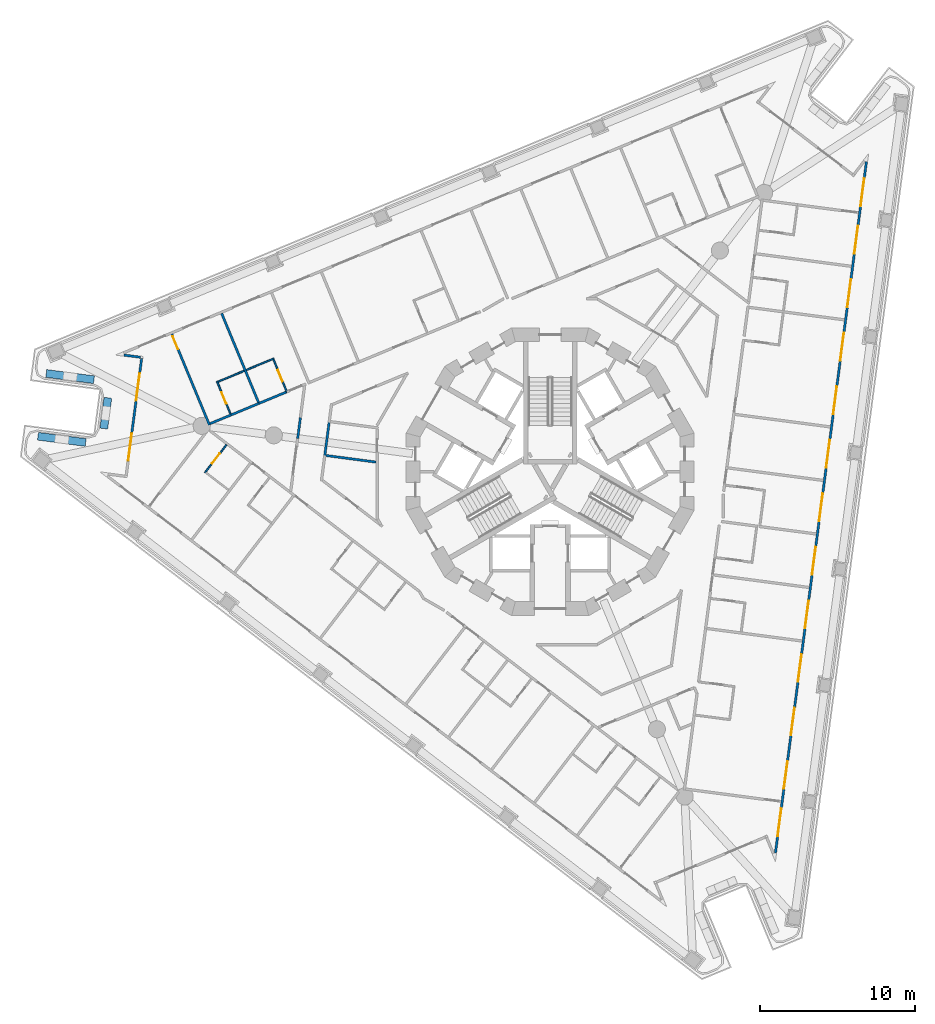
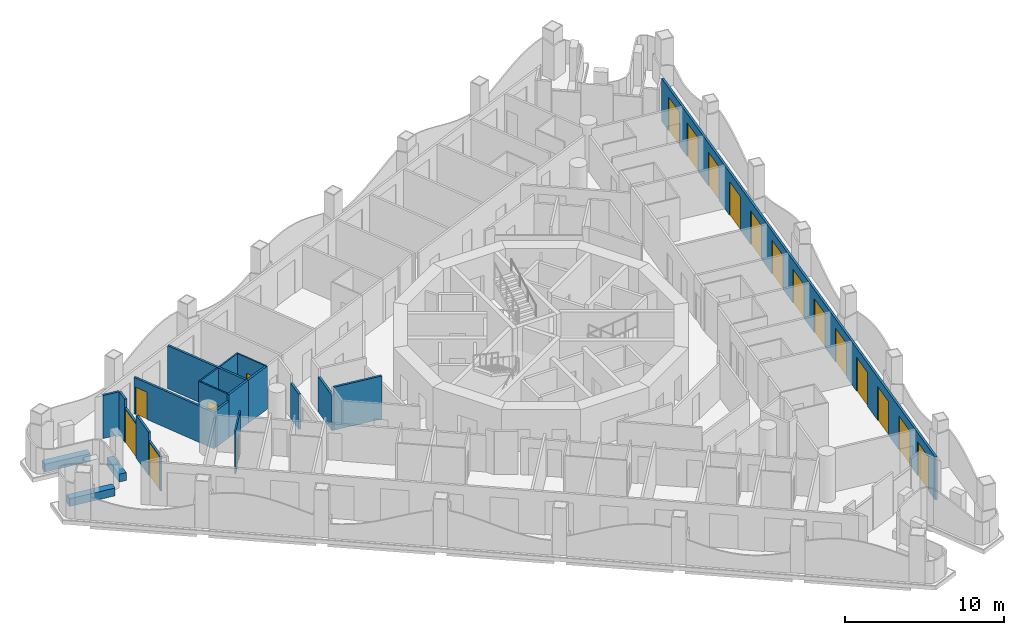
# One storey, part 6 of 17: 22 walls, 19 doors, 19 openings.
"""IFC4 building model written with IfcOpenShell, lengths in metres."""

from ifc_helpers import new_model, si_unit, direction, frame, frame_2d, origin, place, context, subcontext, project, spatial, polyline, rectangle, outline, extrude, material, layer, layer_set, type_object, element, fill, save


model = new_model("IFC4")

# Units and contexts
model_context = context("Model", 3, precision=1e-05, world=origin(), true_north=direction((0.0, 1.0)))
body_context = subcontext(model_context, "Body", "Model", "MODEL_VIEW")
ifc_project = project(units=[si_unit("LENGTHUNIT", "METRE"), si_unit("AREAUNIT", "SQUARE_METRE"), si_unit("VOLUMEUNIT", "CUBIC_METRE"), si_unit("PLANEANGLEUNIT", "RADIAN"), si_unit("MASSUNIT", "GRAM", prefix="KILO")], contexts=[model_context])

# Site, building, storey
site_placement = place(None, origin())
site = spatial("IfcSite", under=ifc_project, at=site_placement, CompositionType="ELEMENT")
building_placement = place(site_placement, origin())
building = spatial("IfcBuilding", under=site, at=building_placement, Name="Trine Commons Tower", CompositionType="ELEMENT")
storey_placement = place(building_placement, frame((0.0, 0.0, 131.39990234375)))
storey = spatial("IfcBuildingStorey", under=building, at=storey_placement, Name="L33", CompositionType="ELEMENT", Elevation=131.39990234375)

# Wall, opening, door
ifc_material_1 = material(Name="Aluminium-framed insulated wall panel", Category="aluminium")
ifc_layer_1 = layer(ifc_material_1, 0.14990234375)
ifc_layer_set_1 = layer_set([ifc_layer_1], Name="Aluminium-framed insulated wall panel")
wall_type_1 = type_object("IfcWallType", Name="Glazed frame wall 150, EI 60", PredefinedType="SOLIDWALL", material=ifc_layer_set_1)
wall_1_placement = place(storey_placement, frame((52.811279296875, 63.154296875, 0.0), z_axis=(0.0, 0.0, 1.0), x_axis=(0.130547578832, 0.991442045538, 0.0)))
wall_1 = element("IfcWall", 1, at=wall_1_placement, inside=storey, type_object=wall_type_1, Name="Glazed frame wall P1.2", PredefinedType="SOLIDWALL", context=body_context, shape_type="SweptSolid", body=[
    extrude(outline(polyline([(0.0, -0.074951171875), (1.89990234375, -0.074951171875), (1.89990234375, 0.074951171875), (0.0, 0.074951171875), (0.0, -0.074951171875)])), origin(), (0.0, 0.0, 1.0), 2.650146484375),
])
opening_1_placement = place(wall_1_placement, frame((0.050048828125, 0.0, 0.0)))
opening_1 = element("IfcOpeningElement", 2, at=opening_1_placement, cuts=wall_1, Name="Opening BD-4P1-01", PredefinedType="OPENING", context=body_context, shape_type="SweptSolid", body=[
    extrude(rectangle(XDim=1.800048828125, YDim=2.60009765625, at=frame_2d((0.89990234375, 1.300048828125))), frame((0.0, 0.0849609375, 0.0), z_axis=(0.0, -1.0, 0.0), x_axis=(1.0, 0.0, 0.0)), (0.0, 0.0, 1.0), 0.169921875),
])
ifc_material_2 = material(Name="Anodised aluminium frame with double glazing", Category="aluminium")
door_type_1 = type_object("IfcDoorType", Name="Sliding loggia door 1800x2600", OperationType="SLIDING_TO_LEFT", PredefinedType="DOOR", material=ifc_material_2)
door_1_placement = place(opening_1_placement, origin())
door_1 = element("IfcDoor", 3, at=door_1_placement, inside=storey, type_object=door_type_1, Name="Loggia door P1 1", OperationType="SLIDING_TO_LEFT", OverallHeight=2.60009765625, OverallWidth=1.800048828125, PredefinedType="DOOR", context=body_context, shape_type="SweptSolid", body=[
    extrude(rectangle(XDim=1.800048828125, YDim=2.60009765625, at=frame_2d((0.89990234375, 1.300048828125))), frame((0.0, 0.02490234375, 0.0), z_axis=(0.0, -1.0, 0.0), x_axis=(1.0, 0.0, 0.0)), (0.0, 0.0, 1.0), 0.050048828125),
])
fill(opening_1, door_1)

# Wall
wall_2_placement = place(storey_placement, frame((53.059326171875, 65.0380859375, 0.0), z_axis=(0.0, 0.0, 1.0), x_axis=(0.130492404742, 0.991449308994, 0.0)))
element("IfcWall", 4, at=wall_2_placement, inside=storey, type_object=wall_type_1, Name="Glazed frame wall P1.3", PredefinedType="SOLIDWALL", context=body_context, shape_type="SweptSolid", body=[
    extrude(outline(polyline([(0.0, -0.074951171875), (2.0, -0.074951171875), (2.0, 0.074951171875), (0.0, 0.074951171875), (0.0, -0.074951171875)])), origin(), (0.0, 0.0, 1.0), 3.300048828125),
])

# Wall, opening, door
wall_3_placement = place(storey_placement, frame((53.3203125, 67.02099609375, 0.0), z_axis=(0.0, 0.0, 1.0), x_axis=(0.130547578832, 0.991442045538, 0.0)))
wall_3 = element("IfcWall", 5, at=wall_3_placement, inside=storey, type_object=wall_type_1, Name="Glazed frame wall P1.4", PredefinedType="SOLIDWALL", context=body_context, shape_type="SweptSolid", body=[
    extrude(outline(polyline([(0.0, -0.074951171875), (1.89990234375, -0.074951171875), (1.89990234375, 0.074951171875), (0.0, 0.074951171875), (0.0, -0.074951171875)])), origin(), (0.0, 0.0, 1.0), 2.650146484375),
])
opening_2_placement = place(wall_3_placement, frame((0.050048828125, 0.0, 0.0)))
opening_2 = element("IfcOpeningElement", 6, at=opening_2_placement, cuts=wall_3, Name="Opening BD-4P1-02", PredefinedType="OPENING", context=body_context, shape_type="SweptSolid", body=[
    extrude(rectangle(XDim=1.800048828125, YDim=2.60009765625, at=frame_2d((0.89990234375, 1.300048828125))), frame((0.0, 0.0849609375, 0.0), z_axis=(0.0, -1.0, 0.0), x_axis=(1.0, 0.0, 0.0)), (0.0, 0.0, 1.0), 0.169921875),
])
door_2_placement = place(opening_2_placement, origin())
door_2 = element("IfcDoor", 7, at=door_2_placement, inside=storey, type_object=door_type_1, Name="Loggia door P1 2", OperationType="SLIDING_TO_LEFT", OverallHeight=2.60009765625, OverallWidth=1.800048828125, PredefinedType="DOOR", context=body_context, shape_type="SweptSolid", body=[
    extrude(rectangle(XDim=1.800048828125, YDim=2.60009765625, at=frame_2d((0.89990234375, 1.300048828125))), frame((0.0, 0.02490234375, 0.0), z_axis=(0.0, -1.0, 0.0), x_axis=(1.0, 0.0, 0.0)), (0.0, 0.0, 1.0), 0.050048828125),
])
fill(opening_2, door_2)

# Walls
wall_4_placement = place(storey_placement, frame((53.568359375, 68.90478515625, 0.0), z_axis=(0.0, 0.0, 1.0), x_axis=(0.130612392842, 0.991433509034, 0.0)))
element("IfcWall", 8, at=wall_4_placement, inside=storey, type_object=wall_type_1, Name="Glazed frame wall P1.5", PredefinedType="SOLIDWALL", context=body_context, shape_type="SweptSolid", body=[
    extrude(outline(polyline([(0.889892578125, 0.074951171875), (0.0, 0.074951171875), (0.0, -0.074951171875), (0.889892578125, -0.074951171875), (0.889892578125, 0.074951171875)])), origin(), (0.0, 0.0, 1.0), 3.300048828125),
])
wall_5_placement = place(storey_placement, frame((53.72900390625, 69.85693359375, 0.0), z_axis=(0.0, 0.0, 1.0), x_axis=(-0.991446880033, 0.130510858064, 0.0)))
element("IfcWall", 9, at=wall_5_placement, inside=storey, type_object=wall_type_1, Name="Glazed frame wall R3", PredefinedType="SOLIDWALL", context=body_context, shape_type="SweptSolid", body=[
    extrude(outline(polyline([(0.110107421875, 0.074951171875), (0.110107421875, -0.074951171875), (1.19580078125, -0.074951171875), (1.19580078125, 0.074951171875), (0.110107421875, 0.074951171875)])), origin(), (0.0, 0.0, 1.0), 3.300048828125),
])

# Wall, openings, doors
wall_6_placement = place(storey_placement, frame((100.387939453125, 82.614013671875, 0.0), z_axis=(0.0, 0.0, 1.0), x_axis=(-0.130522128443, -0.991445396372, 0.0)))
wall_6 = element("IfcWall", 10, at=wall_6_placement, inside=storey, type_object=wall_type_1, Name="Glazed frame wall F2", PredefinedType="SOLIDWALL", context=body_context, shape_type="SweptSolid", body=[
    extrude(outline(polyline([(0.1494140625, 0.074951171875), (0.1494140625, -0.074951171875), (45.056884765625, -0.074951171875), (45.056884765625, 0.074951171875), (0.1494140625, 0.074951171875)])), origin(), (0.0, 0.0, 1.0), 3.300048828125),
])
opening_3_placement = place(wall_6_placement, frame((1.23876953125, 0.0, 0.0)))
opening_3 = element("IfcOpeningElement", 11, at=opening_3_placement, cuts=wall_6, Name="Opening BD-4F2-01", PredefinedType="OPENING", context=body_context, shape_type="SweptSolid", body=[
    extrude(rectangle(XDim=1.800048828125, YDim=2.60009765625, at=frame_2d((0.89990234375, 1.300048828125))), frame((0.0, 0.0849609375, 0.0), z_axis=(0.0, -1.0, 0.0), x_axis=(1.0, 0.0, 0.0)), (0.0, 0.0, 1.0), 0.169921875),
])
opening_4_placement = place(wall_6_placement, frame((4.316162109375, 0.0, 0.0)))
opening_4 = element("IfcOpeningElement", 12, at=opening_4_placement, cuts=wall_6, Name="Opening BD-4F2-02", PredefinedType="OPENING", context=body_context, shape_type="SweptSolid", body=[
    extrude(rectangle(XDim=1.800048828125, YDim=2.60009765625, at=frame_2d((0.89990234375, 1.300048828125))), frame((0.0, 0.0849609375, 0.0), z_axis=(0.0, -1.0, 0.0), x_axis=(1.0, 0.0, 0.0)), (0.0, 0.0, 1.0), 0.169921875),
])
opening_5_placement = place(wall_6_placement, frame((7.79345703125, 0.0, 0.0)))
opening_5 = element("IfcOpeningElement", 13, at=opening_5_placement, cuts=wall_6, Name="Opening BD-4F2-03", PredefinedType="OPENING", context=body_context, shape_type="SweptSolid", body=[
    extrude(rectangle(XDim=1.800048828125, YDim=2.60009765625, at=frame_2d((0.89990234375, 1.300048828125))), frame((0.0, 0.0849609375, 0.0), z_axis=(0.0, -1.0, 0.0), x_axis=(1.0, 0.0, 0.0)), (0.0, 0.0, 1.0), 0.169921875),
])
opening_6_placement = place(wall_6_placement, frame((11.27099609375, 0.0, 0.0)))
opening_6 = element("IfcOpeningElement", 14, at=opening_6_placement, cuts=wall_6, Name="Opening BD-4F2-04", PredefinedType="OPENING", context=body_context, shape_type="SweptSolid", body=[
    extrude(rectangle(XDim=1.800048828125, YDim=2.60009765625, at=frame_2d((0.89990234375, 1.300048828125))), frame((0.0, 0.0849609375, 0.0), z_axis=(0.0, -1.0, 0.0), x_axis=(1.0, 0.0, 0.0)), (0.0, 0.0, 1.0), 0.169921875),
])
opening_7_placement = place(wall_6_placement, frame((14.748291015625, 0.0, 0.0)))
opening_7 = element("IfcOpeningElement", 15, at=opening_7_placement, cuts=wall_6, Name="Opening BD-4F2-05", PredefinedType="OPENING", context=body_context, shape_type="SweptSolid", body=[
    extrude(rectangle(XDim=1.800048828125, YDim=2.60009765625, at=frame_2d((0.89990234375, 1.300048828125))), frame((0.0, 0.0849609375, 0.0), z_axis=(0.0, -1.0, 0.0), x_axis=(1.0, 0.0, 0.0)), (0.0, 0.0, 1.0), 0.169921875),
])
opening_8_placement = place(wall_6_placement, frame((18.2255859375, 0.0, 0.0)))
opening_8 = element("IfcOpeningElement", 16, at=opening_8_placement, cuts=wall_6, Name="Opening BD-4F2-06", PredefinedType="OPENING", context=body_context, shape_type="SweptSolid", body=[
    extrude(rectangle(XDim=1.800048828125, YDim=2.60009765625, at=frame_2d((0.89990234375, 1.300048828125))), frame((0.0, 0.0849609375, 0.0), z_axis=(0.0, -1.0, 0.0), x_axis=(1.0, 0.0, 0.0)), (0.0, 0.0, 1.0), 0.169921875),
])
opening_9_placement = place(wall_6_placement, frame((21.703125, 0.0, 0.0)))
opening_9 = element("IfcOpeningElement", 17, at=opening_9_placement, cuts=wall_6, Name="Opening BD-4F2-07", PredefinedType="OPENING", context=body_context, shape_type="SweptSolid", body=[
    extrude(rectangle(XDim=1.800048828125, YDim=2.60009765625, at=frame_2d((0.89990234375, 1.300048828125))), frame((0.0, 0.0849609375, 0.0), z_axis=(0.0, -1.0, 0.0), x_axis=(1.0, 0.0, 0.0)), (0.0, 0.0, 1.0), 0.169921875),
])
opening_10_placement = place(wall_6_placement, frame((25.180419921875, 0.0, 0.0)))
opening_10 = element("IfcOpeningElement", 18, at=opening_10_placement, cuts=wall_6, Name="Opening BD-4F2-08", PredefinedType="OPENING", context=body_context, shape_type="SweptSolid", body=[
    extrude(rectangle(XDim=1.800048828125, YDim=2.60009765625, at=frame_2d((0.89990234375, 1.300048828125))), frame((0.0, 0.0849609375, 0.0), z_axis=(0.0, -1.0, 0.0), x_axis=(1.0, 0.0, 0.0)), (0.0, 0.0, 1.0), 0.169921875),
])
opening_11_placement = place(wall_6_placement, frame((28.657958984375, 0.0, 0.0)))
opening_11 = element("IfcOpeningElement", 19, at=opening_11_placement, cuts=wall_6, Name="Opening BD-4F2-09", PredefinedType="OPENING", context=body_context, shape_type="SweptSolid", body=[
    extrude(rectangle(XDim=1.800048828125, YDim=2.60009765625, at=frame_2d((0.89990234375, 1.300048828125))), frame((0.0, 0.0849609375, 0.0), z_axis=(0.0, -1.0, 0.0), x_axis=(1.0, 0.0, 0.0)), (0.0, 0.0, 1.0), 0.169921875),
])
opening_12_placement = place(wall_6_placement, frame((32.13525390625, 0.0, 0.0)))
opening_12 = element("IfcOpeningElement", 20, at=opening_12_placement, cuts=wall_6, Name="Opening BD-4F2-10", PredefinedType="OPENING", context=body_context, shape_type="SweptSolid", body=[
    extrude(rectangle(XDim=1.800048828125, YDim=2.60009765625, at=frame_2d((0.89990234375, 1.300048828125))), frame((0.0, 0.0849609375, 0.0), z_axis=(0.0, -1.0, 0.0), x_axis=(1.0, 0.0, 0.0)), (0.0, 0.0, 1.0), 0.169921875),
])
opening_13_placement = place(wall_6_placement, frame((35.61279296875, 0.0, 0.0)))
opening_13 = element("IfcOpeningElement", 21, at=opening_13_placement, cuts=wall_6, Name="Opening BD-4F2-11", PredefinedType="OPENING", context=body_context, shape_type="SweptSolid", body=[
    extrude(rectangle(XDim=1.800048828125, YDim=2.60009765625, at=frame_2d((0.89990234375, 1.300048828125))), frame((0.0, 0.0849609375, 0.0), z_axis=(0.0, -1.0, 0.0), x_axis=(1.0, 0.0, 0.0)), (0.0, 0.0, 1.0), 0.169921875),
])
opening_14_placement = place(wall_6_placement, frame((39.090087890625, 0.0, 0.0)))
opening_14 = element("IfcOpeningElement", 22, at=opening_14_placement, cuts=wall_6, Name="Opening BD-4F2-12", PredefinedType="OPENING", context=body_context, shape_type="SweptSolid", body=[
    extrude(rectangle(XDim=1.800048828125, YDim=2.60009765625, at=frame_2d((0.89990234375, 1.300048828125))), frame((0.0, 0.0849609375, 0.0), z_axis=(0.0, -1.0, 0.0), x_axis=(1.0, 0.0, 0.0)), (0.0, 0.0, 1.0), 0.169921875),
])
opening_15_placement = place(wall_6_placement, frame((42.16748046875, 0.0, 0.0)))
opening_15 = element("IfcOpeningElement", 23, at=opening_15_placement, cuts=wall_6, Name="Opening BD-4F2-13", PredefinedType="OPENING", context=body_context, shape_type="SweptSolid", body=[
    extrude(rectangle(XDim=1.800048828125, YDim=2.60009765625, at=frame_2d((0.89990234375, 1.300048828125))), frame((0.0, 0.0849609375, 0.0), z_axis=(0.0, -1.0, 0.0), x_axis=(1.0, 0.0, 0.0)), (0.0, 0.0, 1.0), 0.169921875),
])
door_3_placement = place(opening_3_placement, origin())
door_3 = element("IfcDoor", 24, at=door_3_placement, inside=storey, type_object=door_type_1, Name="Loggia door F2 1", OperationType="SLIDING_TO_LEFT", OverallHeight=2.60009765625, OverallWidth=1.800048828125, PredefinedType="DOOR", context=body_context, shape_type="SweptSolid", body=[
    extrude(rectangle(XDim=1.800048828125, YDim=2.60009765625, at=frame_2d((0.89990234375, 1.300048828125))), frame((0.0, 0.02490234375, 0.0), z_axis=(0.0, -1.0, 0.0), x_axis=(1.0, 0.0, 0.0)), (0.0, 0.0, 1.0), 0.050048828125),
])
fill(opening_3, door_3)
door_4_placement = place(opening_4_placement, origin())
door_4 = element("IfcDoor", 25, at=door_4_placement, inside=storey, type_object=door_type_1, Name="Loggia door F2 2", OperationType="SLIDING_TO_LEFT", OverallHeight=2.60009765625, OverallWidth=1.800048828125, PredefinedType="DOOR", context=body_context, shape_type="SweptSolid", body=[
    extrude(rectangle(XDim=1.800048828125, YDim=2.60009765625, at=frame_2d((0.89990234375, 1.300048828125))), frame((0.0, 0.02490234375, 0.0), z_axis=(0.0, -1.0, 0.0), x_axis=(1.0, 0.0, 0.0)), (0.0, 0.0, 1.0), 0.050048828125),
])
fill(opening_4, door_4)
door_5_placement = place(opening_5_placement, origin())
door_5 = element("IfcDoor", 26, at=door_5_placement, inside=storey, type_object=door_type_1, Name="Loggia door F2 3", OperationType="SLIDING_TO_LEFT", OverallHeight=2.60009765625, OverallWidth=1.800048828125, PredefinedType="DOOR", context=body_context, shape_type="SweptSolid", body=[
    extrude(rectangle(XDim=1.800048828125, YDim=2.60009765625, at=frame_2d((0.89990234375, 1.300048828125))), frame((0.0, 0.02490234375, 0.0), z_axis=(0.0, -1.0, 0.0), x_axis=(1.0, 0.0, 0.0)), (0.0, 0.0, 1.0), 0.050048828125),
])
fill(opening_5, door_5)
door_6_placement = place(opening_6_placement, origin())
door_6 = element("IfcDoor", 27, at=door_6_placement, inside=storey, type_object=door_type_1, Name="Loggia door F2 4", OperationType="SLIDING_TO_LEFT", OverallHeight=2.60009765625, OverallWidth=1.800048828125, PredefinedType="DOOR", context=body_context, shape_type="SweptSolid", body=[
    extrude(rectangle(XDim=1.800048828125, YDim=2.60009765625, at=frame_2d((0.89990234375, 1.300048828125))), frame((0.0, 0.02490234375, 0.0), z_axis=(0.0, -1.0, 0.0), x_axis=(1.0, 0.0, 0.0)), (0.0, 0.0, 1.0), 0.050048828125),
])
fill(opening_6, door_6)
door_7_placement = place(opening_7_placement, origin())
door_7 = element("IfcDoor", 28, at=door_7_placement, inside=storey, type_object=door_type_1, Name="Loggia door F2 5", OperationType="SLIDING_TO_LEFT", OverallHeight=2.60009765625, OverallWidth=1.800048828125, PredefinedType="DOOR", context=body_context, shape_type="SweptSolid", body=[
    extrude(rectangle(XDim=1.800048828125, YDim=2.60009765625, at=frame_2d((0.89990234375, 1.300048828125))), frame((0.0, 0.02490234375, 0.0), z_axis=(0.0, -1.0, 0.0), x_axis=(1.0, 0.0, 0.0)), (0.0, 0.0, 1.0), 0.050048828125),
])
fill(opening_7, door_7)
door_8_placement = place(opening_8_placement, origin())
door_8 = element("IfcDoor", 29, at=door_8_placement, inside=storey, type_object=door_type_1, Name="Loggia door F2 6", OperationType="SLIDING_TO_LEFT", OverallHeight=2.60009765625, OverallWidth=1.800048828125, PredefinedType="DOOR", context=body_context, shape_type="SweptSolid", body=[
    extrude(rectangle(XDim=1.800048828125, YDim=2.60009765625, at=frame_2d((0.89990234375, 1.300048828125))), frame((0.0, 0.02490234375, 0.0), z_axis=(0.0, -1.0, 0.0), x_axis=(1.0, 0.0, 0.0)), (0.0, 0.0, 1.0), 0.050048828125),
])
fill(opening_8, door_8)
door_9_placement = place(opening_9_placement, origin())
door_9 = element("IfcDoor", 30, at=door_9_placement, inside=storey, type_object=door_type_1, Name="Loggia door F2 7", OperationType="SLIDING_TO_LEFT", OverallHeight=2.60009765625, OverallWidth=1.800048828125, PredefinedType="DOOR", context=body_context, shape_type="SweptSolid", body=[
    extrude(rectangle(XDim=1.800048828125, YDim=2.60009765625, at=frame_2d((0.89990234375, 1.300048828125))), frame((0.0, 0.02490234375, 0.0), z_axis=(0.0, -1.0, 0.0), x_axis=(1.0, 0.0, 0.0)), (0.0, 0.0, 1.0), 0.050048828125),
])
fill(opening_9, door_9)
door_10_placement = place(opening_10_placement, origin())
door_10 = element("IfcDoor", 31, at=door_10_placement, inside=storey, type_object=door_type_1, Name="Loggia door F2 8", OperationType="SLIDING_TO_LEFT", OverallHeight=2.60009765625, OverallWidth=1.800048828125, PredefinedType="DOOR", context=body_context, shape_type="SweptSolid", body=[
    extrude(rectangle(XDim=1.800048828125, YDim=2.60009765625, at=frame_2d((0.89990234375, 1.300048828125))), frame((0.0, 0.02490234375, 0.0), z_axis=(0.0, -1.0, 0.0), x_axis=(1.0, 0.0, 0.0)), (0.0, 0.0, 1.0), 0.050048828125),
])
fill(opening_10, door_10)
door_11_placement = place(opening_11_placement, origin())
door_11 = element("IfcDoor", 32, at=door_11_placement, inside=storey, type_object=door_type_1, Name="Loggia door F2 9", OperationType="SLIDING_TO_LEFT", OverallHeight=2.60009765625, OverallWidth=1.800048828125, PredefinedType="DOOR", context=body_context, shape_type="SweptSolid", body=[
    extrude(rectangle(XDim=1.800048828125, YDim=2.60009765625, at=frame_2d((0.89990234375, 1.300048828125))), frame((0.0, 0.02490234375, 0.0), z_axis=(0.0, -1.0, 0.0), x_axis=(1.0, 0.0, 0.0)), (0.0, 0.0, 1.0), 0.050048828125),
])
fill(opening_11, door_11)
door_12_placement = place(opening_12_placement, origin())
door_12 = element("IfcDoor", 33, at=door_12_placement, inside=storey, type_object=door_type_1, Name="Loggia door F2 10", OperationType="SLIDING_TO_LEFT", OverallHeight=2.60009765625, OverallWidth=1.800048828125, PredefinedType="DOOR", context=body_context, shape_type="SweptSolid", body=[
    extrude(rectangle(XDim=1.800048828125, YDim=2.60009765625, at=frame_2d((0.89990234375, 1.300048828125))), frame((0.0, 0.02490234375, 0.0), z_axis=(0.0, -1.0, 0.0), x_axis=(1.0, 0.0, 0.0)), (0.0, 0.0, 1.0), 0.050048828125),
])
fill(opening_12, door_12)
door_13_placement = place(opening_13_placement, origin())
door_13 = element("IfcDoor", 34, at=door_13_placement, inside=storey, type_object=door_type_1, Name="Loggia door F2 11", OperationType="SLIDING_TO_LEFT", OverallHeight=2.60009765625, OverallWidth=1.800048828125, PredefinedType="DOOR", context=body_context, shape_type="SweptSolid", body=[
    extrude(rectangle(XDim=1.800048828125, YDim=2.60009765625, at=frame_2d((0.89990234375, 1.300048828125))), frame((0.0, 0.02490234375, 0.0), z_axis=(0.0, -1.0, 0.0), x_axis=(1.0, 0.0, 0.0)), (0.0, 0.0, 1.0), 0.050048828125),
])
fill(opening_13, door_13)
door_14_placement = place(opening_14_placement, origin())
door_14 = element("IfcDoor", 35, at=door_14_placement, inside=storey, type_object=door_type_1, Name="Loggia door F2 12", OperationType="SLIDING_TO_LEFT", OverallHeight=2.60009765625, OverallWidth=1.800048828125, PredefinedType="DOOR", context=body_context, shape_type="SweptSolid", body=[
    extrude(rectangle(XDim=1.800048828125, YDim=2.60009765625, at=frame_2d((0.89990234375, 1.300048828125))), frame((0.0, 0.02490234375, 0.0), z_axis=(0.0, -1.0, 0.0), x_axis=(1.0, 0.0, 0.0)), (0.0, 0.0, 1.0), 0.050048828125),
])
fill(opening_14, door_14)
door_15_placement = place(opening_15_placement, origin())
door_15 = element("IfcDoor", 36, at=door_15_placement, inside=storey, type_object=door_type_1, Name="Loggia door F2 13", OperationType="SLIDING_TO_LEFT", OverallHeight=2.60009765625, OverallWidth=1.800048828125, PredefinedType="DOOR", context=body_context, shape_type="SweptSolid", body=[
    extrude(rectangle(XDim=1.800048828125, YDim=2.60009765625, at=frame_2d((0.89990234375, 1.300048828125))), frame((0.0, 0.02490234375, 0.0), z_axis=(0.0, -1.0, 0.0), x_axis=(1.0, 0.0, 0.0)), (0.0, 0.0, 1.0), 0.050048828125),
])
fill(opening_15, door_15)

# Walls
ifc_material_3 = material(Name="Planter trough, precast concrete C40/50", Category="concrete")
ifc_layer_2 = layer(ifc_material_3, 0.5)
ifc_layer_set_2 = layer_set([ifc_layer_2], Name="Planter trough, precast concrete C40/50")
wall_type_2 = type_object("IfcWallType", Name="Planter trough 500x600", PredefinedType="PARAPET", material=ifc_layer_set_2)
wall_7_placement = place(storey_placement, frame((47.009765625, 64.78564453125, 0.0), z_axis=(0.0, 0.0, 1.0), x_axis=(0.991448665422, -0.130497294353, 0.0)))
element("IfcWall", 37, at=wall_7_placement, inside=storey, type_object=wall_type_2, Name="Planter 1", PredefinedType="PARAPET", context=body_context, shape_type="SweptSolid", body=[
    extrude(rectangle(XDim=3.10009765625, YDim=0.5, at=frame_2d((1.550048828125, 0.0))), origin(), (0.0, 0.0, 1.0), 0.60009765625),
])
wall_8_placement = place(storey_placement, frame((51.25, 65.2763671875, 0.0), z_axis=(0.0, 0.0, 1.0), x_axis=(0.130492404742, 0.991449308994, 0.0)))
element("IfcWall", 38, at=wall_8_placement, inside=storey, type_object=wall_type_2, Name="Planter 2", PredefinedType="PARAPET", context=body_context, shape_type="SweptSolid", body=[
    extrude(rectangle(XDim=2.0, YDim=0.5, at=frame_2d((1.0, 0.0))), origin(), (0.0, 0.0, 1.0), 0.60009765625),
])
wall_9_placement = place(storey_placement, frame((50.615478515625, 68.426025390625, 0.0), z_axis=(0.0, 0.0, 1.0), x_axis=(-0.991437130155, 0.130584903225, 0.0)))
element("IfcWall", 39, at=wall_9_placement, inside=storey, type_object=wall_type_2, Name="Planter 3", PredefinedType="PARAPET", context=body_context, shape_type="SweptSolid", body=[
    extrude(rectangle(XDim=3.099853515625, YDim=0.5, at=frame_2d((1.5498046875, 0.0))), origin(), (0.0, 0.0, 1.0), 0.60009765625),
])

# Wall, opening, door
ifc_material_4 = material(Name="Gypsum plasterboard on steel stud", Category="steel")
ifc_layer_3 = layer(ifc_material_4, 0.14990234375)
ifc_layer_set_3 = layer_set([ifc_layer_3], Name="Gypsum plasterboard on steel stud")
wall_type_3 = type_object("IfcWallType", Name="Unit and corridor wall 150 mm, EI 60", PredefinedType="PARTITIONING", material=ifc_layer_set_3)
wall_10_placement = place(storey_placement, frame((55.62841796875, 71.361083984375, 0.0), z_axis=(0.0, 0.0, 1.0), x_axis=(0.38260330851, -0.923912716828, 0.0)))
wall_10 = element("IfcWall", 40, at=wall_10_placement, inside=storey, type_object=wall_type_3, Name="Partition 002", PredefinedType="PARTITIONING", context=body_context, shape_type="SweptSolid", body=[
    extrude(rectangle(XDim=6.343994140625, YDim=0.14990234375, at=frame_2d((3.171875, 0.0))), origin(), (0.0, 0.0, 1.0), 2.800048828125),
])
opening_16_placement = place(wall_10_placement, frame((0.14990234375, 0.0, 0.0)))
opening_16 = element("IfcOpeningElement", 41, at=opening_16_placement, cuts=wall_10, Name="Opening D-4A05", PredefinedType="OPENING", context=body_context, shape_type="SweptSolid", body=[
    extrude(rectangle(XDim=0.89990234375, YDim=2.10009765625, at=frame_2d((0.449951171875, 1.050048828125))), frame((0.0, 0.0849609375, 0.0), z_axis=(0.0, -1.0, 0.0), x_axis=(1.0, 0.0, 0.0)), (0.0, 0.0, 1.0), 0.169921875),
])
ifc_material_5 = material(Name="Timber fire door set", Category="wood")
door_type_2 = type_object("IfcDoorType", Name="Bedroom door 900 x 2100, FD30S", OperationType="NOTDEFINED", PredefinedType="DOOR", material=ifc_material_5)
door_16_placement = place(opening_16_placement, origin())
door_16 = element("IfcDoor", 42, at=door_16_placement, inside=storey, type_object=door_type_2, Name="Door D-4A05", OperationType="SINGLE_SWING_LEFT", OverallHeight=2.10009765625, OverallWidth=0.89990234375, PredefinedType="DOOR", context=body_context, shape_type="SweptSolid", body=[
    extrude(rectangle(XDim=0.89990234375, YDim=2.10009765625, at=frame_2d((0.449951171875, 1.050048828125))), frame((0.0, 0.02490234375, 0.0), z_axis=(0.0, -1.0, 0.0), x_axis=(1.0, 0.0, 0.0)), (0.0, 0.0, 1.0), 0.050048828125),
])
fill(opening_16, door_16)

# Walls
wall_11_placement = place(storey_placement, frame((58.09619140625, 65.59765625, 0.0), z_axis=(0.0, 0.0, 1.0), x_axis=(0.923888134281, 0.382662665196, 0.0)))
element("IfcWall", 43, at=wall_11_placement, inside=storey, type_object=wall_type_3, Name="Partition 007", PredefinedType="PARTITIONING", context=body_context, shape_type="SweptSolid", body=[
    extrude(rectangle(XDim=1.45654296875, YDim=0.14990234375, at=frame_2d((0.728271484375, 0.0))), origin(), (0.0, 0.0, 1.0), 2.800048828125),
])
wall_12_placement = place(storey_placement, frame((58.84130859375, 72.69189453125, 0.0), z_axis=(0.0, 0.0, 1.0), x_axis=(0.382610562407, -0.923909712869, 0.0)))
element("IfcWall", 44, at=wall_12_placement, inside=storey, type_object=wall_type_3, Name="Partition 010", PredefinedType="PARTITIONING", context=body_context, shape_type="SweptSolid", body=[
    extrude(rectangle(XDim=6.19384765625, YDim=0.14990234375, at=frame_2d((3.096923828125, 0.0))), origin(), (0.0, 0.0, 1.0), 3.300048828125),
])
wall_13_placement = place(storey_placement, frame((59.388916015625, 66.1328125, 0.0), z_axis=(0.0, 0.0, 1.0), x_axis=(0.923817799338, 0.382832435442, 0.0)))
element("IfcWall", 45, at=wall_13_placement, inside=storey, type_object=wall_type_3, Name="Partition 011", PredefinedType="PARTITIONING", context=body_context, shape_type="SweptSolid", body=[
    extrude(rectangle(XDim=2.003662109375, YDim=0.14990234375, at=frame_2d((1.001953125, 0.0))), origin(), (0.0, 0.0, 1.0), 3.300048828125),
])
wall_14_placement = place(storey_placement, frame((61.239990234375, 66.89990234375, 0.0), z_axis=(0.0, 0.0, 1.0), x_axis=(0.92387678234, 0.382690071798, 0.0)))
element("IfcWall", 46, at=wall_14_placement, inside=storey, type_object=wall_type_3, Name="Partition 016", PredefinedType="PARTITIONING", context=body_context, shape_type="SweptSolid", body=[
    extrude(rectangle(XDim=1.95458984375, YDim=0.14990234375, at=frame_2d((0.977294921875, 0.0))), origin(), (0.0, 0.0, 1.0), 3.300048828125),
])
wall_15_placement = place(storey_placement, frame((63.736083984375, 64.64111328125, 0.0), z_axis=(0.0, 0.0, 1.0), x_axis=(0.129741998441, 0.991547786968, 0.0)))
element("IfcWall", 47, at=wall_15_placement, inside=storey, type_object=wall_type_3, Name="Partition 022", PredefinedType="PARTITIONING", context=body_context, shape_type="SweptSolid", body=[
    extrude(rectangle(XDim=1.347412109375, YDim=0.14990234375, at=frame_2d((0.673828125, 0.0))), origin(), (0.0, 0.0, 1.0), 2.7001953125),
])
wall_16_placement = place(storey_placement, frame((65.47314453125, 63.4755859375, 0.0), z_axis=(0.0, 0.0, 1.0), x_axis=(0.130468344309, 0.991452475479, 0.0)))
element("IfcWall", 48, at=wall_16_placement, inside=storey, type_object=wall_type_3, Name="Partition 029", PredefinedType="PARTITIONING", context=body_context, shape_type="SweptSolid", body=[
    extrude(rectangle(XDim=2.282958984375, YDim=0.14990234375, at=frame_2d((1.1416015625, 0.0))), origin(), (0.0, 0.0, 1.0), 2.7001953125),
])
wall_17_placement = place(storey_placement, frame((65.558349609375, 63.544189453125, 0.0), z_axis=(0.0, 0.0, 1.0), x_axis=(0.991425096487, -0.13067623371, 0.0)))
element("IfcWall", 49, at=wall_17_placement, inside=storey, type_object=wall_type_3, Name="Partition 030", PredefinedType="PARTITIONING", context=body_context, shape_type="SweptSolid", body=[
    extrude(rectangle(XDim=3.2470703125, YDim=0.14990234375, at=frame_2d((1.62353515625, 0.0))), origin(), (0.0, 0.0, 1.0), 3.300048828125),
])

# Wall, opening, door
ifc_layer_4 = layer(ifc_material_4, 0.10009765625)
ifc_layer_set_4 = layer_set([ifc_layer_4], Name="Gypsum plasterboard on steel stud")
wall_type_4 = type_object("IfcWallType", Name="Unit partition 100 mm, no rating", PredefinedType="PARTITIONING", material=ifc_layer_set_4)
wall_18_placement = place(storey_placement, frame((57.7626953125, 62.42822265625, 0.0), z_axis=(0.0, 0.0, 1.0), x_axis=(0.608652294224, 0.793437070432, 0.0)))
wall_18 = element("IfcWall", 50, at=wall_18_placement, inside=storey, type_object=wall_type_4, Name="Partition 004", PredefinedType="PARTITIONING", context=body_context, shape_type="SweptSolid", body=[
    extrude(rectangle(XDim=2.275146484375, YDim=0.10009765625, at=frame_2d((1.1376953125, 0.0))), origin(), (0.0, 0.0, 1.0), 3.300048828125),
])
opening_17_placement = place(wall_18_placement, frame((0.762451171875, 0.0, 0.0)))
opening_17 = element("IfcOpeningElement", 51, at=opening_17_placement, cuts=wall_18, Name="Opening D-4A58", PredefinedType="OPENING", context=body_context, shape_type="SweptSolid", body=[
    extrude(rectangle(XDim=0.800048828125, YDim=2.10009765625, at=frame_2d((0.39990234375, 1.050048828125))), frame((0.0, 0.06005859375, 0.0), z_axis=(0.0, -1.0, 0.0), x_axis=(1.0, 0.0, 0.0)), (0.0, 0.0, 1.0), 0.1201171875),
])
ifc_material_6 = material(Name="Painted timber", Category="wood")
door_type_3 = type_object("IfcDoorType", Name="Internal door 800 x 2100, NOT RATED", OperationType="NOTDEFINED", PredefinedType="DOOR", material=ifc_material_6)
door_17_placement = place(opening_17_placement, origin())
door_17 = element("IfcDoor", 52, at=door_17_placement, inside=storey, type_object=door_type_3, Name="Door D-4A58", OperationType="SINGLE_SWING_RIGHT", OverallHeight=2.10009765625, OverallWidth=0.800048828125, PredefinedType="DOOR", context=body_context, shape_type="SweptSolid", body=[
    extrude(rectangle(XDim=0.800048828125, YDim=2.10009765625, at=frame_2d((0.39990234375, 1.050048828125))), frame((0.0, 0.02490234375, 0.0), z_axis=(0.0, -1.0, 0.0), x_axis=(1.0, 0.0, 0.0)), (0.0, 0.0, 1.0), 0.050048828125),
])
fill(opening_17, door_17)

wall_19_placement = place(storey_placement, frame((58.538818359375, 68.3251953125, 0.0), z_axis=(0.0, 0.0, 1.0), x_axis=(0.382595073996, -0.923916126796, 0.0)))
wall_19 = element("IfcWall", 53, at=wall_19_placement, inside=storey, type_object=wall_type_4, Name="Partition 008", PredefinedType="PARTITIONING", context=body_context, shape_type="SweptSolid", body=[
    extrude(rectangle(XDim=2.27490234375, YDim=0.10009765625, at=frame_2d((1.137451171875, 0.0))), origin(), (0.0, 0.0, 1.0), 3.300048828125),
])
opening_18_placement = place(wall_19_placement, frame((0.7626953125, 0.0, 0.0)))
opening_18 = element("IfcOpeningElement", 54, at=opening_18_placement, cuts=wall_19, Name="Opening D-4A39", PredefinedType="OPENING", context=body_context, shape_type="SweptSolid", body=[
    extrude(rectangle(XDim=0.800048828125, YDim=2.10009765625, at=frame_2d((0.39990234375, 1.050048828125))), frame((0.0, 0.06005859375, 0.0), z_axis=(0.0, -1.0, 0.0), x_axis=(1.0, 0.0, 0.0)), (0.0, 0.0, 1.0), 0.1201171875),
])
door_18_placement = place(opening_18_placement, frame((0.800048828125, 0.0, 0.0), z_axis=(0.0, 0.0, 1.0), x_axis=(-1.0, 0.0, 0.0)))
door_18 = element("IfcDoor", 55, at=door_18_placement, inside=storey, type_object=door_type_3, Name="Door D-4A39", OperationType="SINGLE_SWING_LEFT", OverallHeight=2.10009765625, OverallWidth=0.800048828125, PredefinedType="DOOR", context=body_context, shape_type="SweptSolid", body=[
    extrude(rectangle(XDim=0.800048828125, YDim=2.10009765625, at=frame_2d((0.39990234375, 1.050048828125))), frame((0.0, 0.02490234375, 0.0), z_axis=(0.0, -1.0, 0.0), x_axis=(1.0, 0.0, 0.0)), (0.0, 0.0, 1.0), 0.050048828125),
])
fill(opening_18, door_18)

# Walls
wall_20_placement = place(storey_placement, frame((58.604248046875, 68.298095703125, 0.0), z_axis=(0.0, 0.0, 1.0), x_axis=(0.923945120737, 0.382525049986, 0.0)))
element("IfcWall", 56, at=wall_20_placement, inside=storey, type_object=wall_type_4, Name="Partition 009", PredefinedType="PARTITIONING", context=body_context, shape_type="SweptSolid", body=[
    extrude(rectangle(XDim=1.825439453125, YDim=0.10009765625, at=frame_2d((0.91259765625, 0.0))), origin(), (0.0, 0.0, 1.0), 3.300048828125),
])
wall_21_placement = place(storey_placement, frame((60.42919921875, 69.0537109375, 0.0), z_axis=(0.0, 0.0, 1.0), x_axis=(0.923911704446, 0.382605753207, 0.0)))
element("IfcWall", 57, at=wall_21_placement, inside=storey, type_object=wall_type_4, Name="Partition 013", PredefinedType="PARTITIONING", context=body_context, shape_type="SweptSolid", body=[
    extrude(rectangle(XDim=1.924560546875, YDim=0.10009765625, at=frame_2d((0.96240234375, 0.0))), origin(), (0.0, 0.0, 1.0), 3.300048828125),
])

# Wall, opening, door
wall_22_placement = place(storey_placement, frame((62.18017578125, 69.724853515625, 0.0), z_axis=(0.0, 0.0, 1.0), x_axis=(0.382958575782, -0.92376551637, 0.0)))
wall_22 = element("IfcWall", 58, at=wall_22_placement, inside=storey, type_object=wall_type_4, Name="Partition 019", PredefinedType="PARTITIONING", context=body_context, shape_type="SweptSolid", body=[
    extrude(rectangle(XDim=2.25048828125, YDim=0.10009765625, at=frame_2d((1.125244140625, 0.0))), origin(), (0.0, 0.0, 1.0), 3.300048828125),
])
opening_19_placement = place(wall_22_placement, frame((0.72509765625, 0.0, 0.0)))
opening_19 = element("IfcOpeningElement", 59, at=opening_19_placement, cuts=wall_22, Name="Opening D-4A40", PredefinedType="OPENING", context=body_context, shape_type="SweptSolid", body=[
    extrude(rectangle(XDim=0.800048828125, YDim=2.10009765625, at=frame_2d((0.39990234375, 1.050048828125))), frame((0.0, 0.06005859375, 0.0), z_axis=(0.0, -1.0, 0.0), x_axis=(1.0, 0.0, 0.0)), (0.0, 0.0, 1.0), 0.1201171875),
])
door_19_placement = place(opening_19_placement, origin())
door_19 = element("IfcDoor", 60, at=door_19_placement, inside=storey, type_object=door_type_3, Name="Door D-4A40", OperationType="SINGLE_SWING_RIGHT", OverallHeight=2.10009765625, OverallWidth=0.800048828125, PredefinedType="DOOR", context=body_context, shape_type="SweptSolid", body=[
    extrude(rectangle(XDim=0.800048828125, YDim=2.10009765625, at=frame_2d((0.39990234375, 1.050048828125))), frame((0.0, 0.02490234375, 0.0), z_axis=(0.0, -1.0, 0.0), x_axis=(1.0, 0.0, 0.0)), (0.0, 0.0, 1.0), 0.050048828125),
])
fill(opening_19, door_19)

save(model, "model.ifc")
